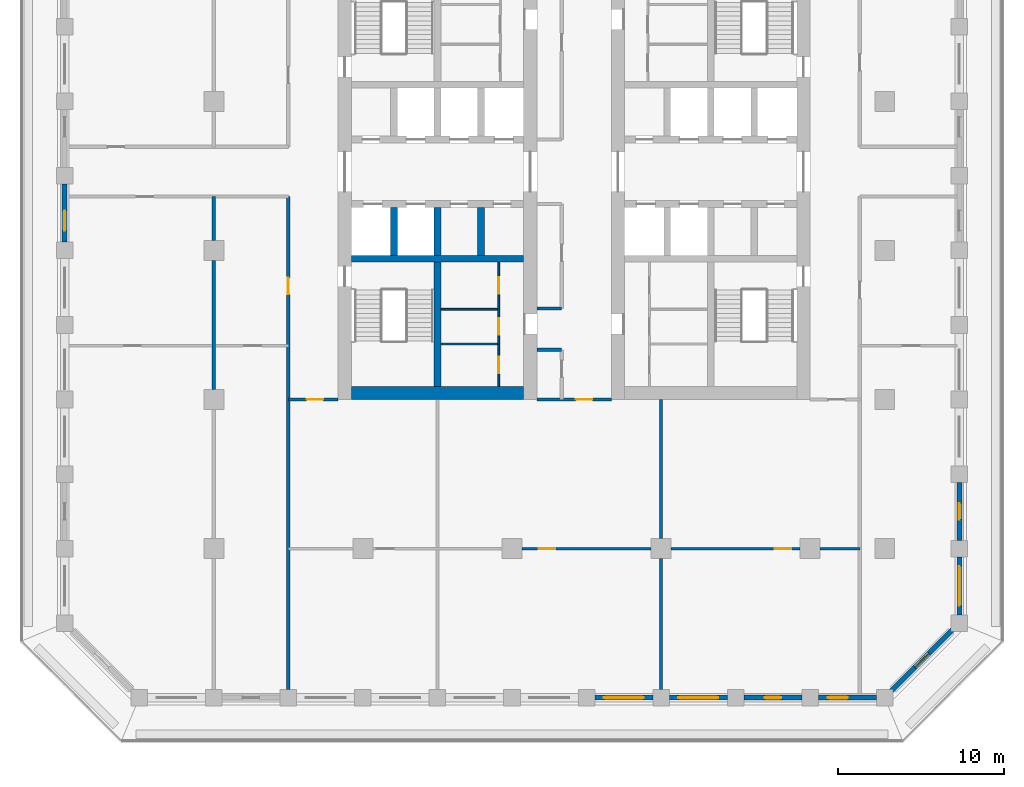
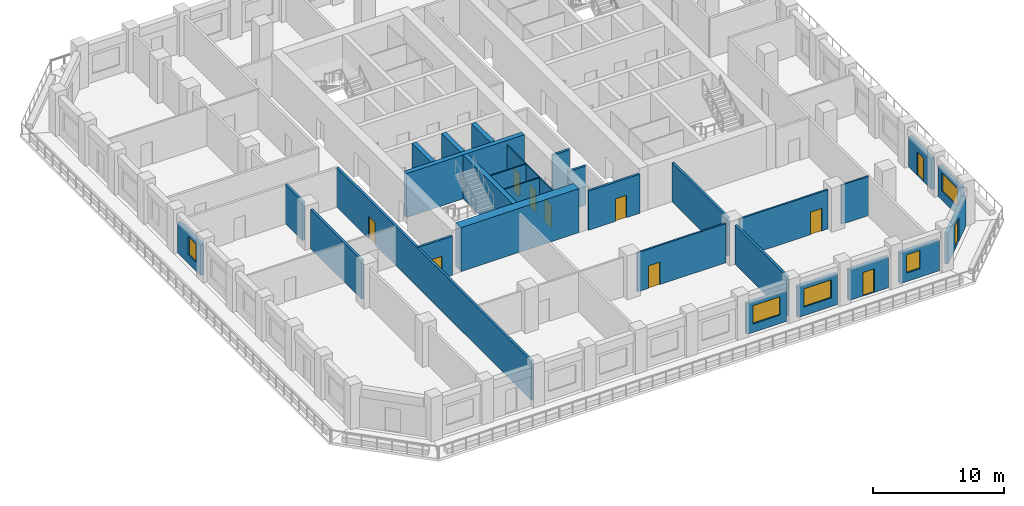
# One storey, part 3 of 16: 31 walls, 11 doors, 5 windows, 16 openings.
"""IFC4 building model written with IfcOpenShell, lengths in metres."""

from ifc_helpers import new_model, si_unit, direction, frame, frame_2d, origin, place, context, subcontext, project, spatial, rectangle, extrude, material, layer, layer_set, type_object, element, fill, save


model = new_model("IFC4")

# Units and contexts
model_context = context("Model", 3, precision=1e-05, world=origin(), true_north=direction((0.0, 1.0)))
body_context = subcontext(model_context, "Body", "Model", "MODEL_VIEW")
ifc_project = project(units=[si_unit("LENGTHUNIT", "METRE"), si_unit("AREAUNIT", "SQUARE_METRE"), si_unit("VOLUMEUNIT", "CUBIC_METRE"), si_unit("PLANEANGLEUNIT", "RADIAN"), si_unit("MASSUNIT", "GRAM", prefix="KILO")], contexts=[model_context])

# Site, building, storey
site_placement = place(None, origin())
site = spatial("IfcSite", under=ifc_project, at=site_placement, CompositionType="ELEMENT")
building_placement = place(site_placement, origin())
building = spatial("IfcBuilding", under=site, at=building_placement, Name="Corbel Stack Research Tower", CompositionType="ELEMENT")
storey_placement = place(building_placement, frame((0.0, 0.0, 169.10009765625)))
storey = spatial("IfcBuildingStorey", under=building, at=storey_placement, Name="L38", CompositionType="ELEMENT", Elevation=169.10009765625)

# Walls
ifc_material_1 = material(Name="Concrete C60/75", Category="concrete")
ifc_layer_1 = layer(ifc_material_1, 0.39990234375)
ifc_layer_set_1 = layer_set([ifc_layer_1], Name="Concrete C60/75")
wall_type_1 = type_object("IfcWallType", Name="CW-400-60", PredefinedType="SHEAR", material=ifc_layer_set_1)
wall_1_placement = place(storey_placement, frame((-9.699951171875, -0.5, 0.0), z_axis=(0.0, 0.0, 1.0), x_axis=(1.0, 0.0, 0.0)))
element("IfcWall", 1, at=wall_1_placement, inside=storey, type_object=wall_type_1, Name="West core wall, south row back L38", PredefinedType="SHEAR", context=body_context, shape_type="SweptSolid", body=[
    extrude(rectangle(XDim=10.39990234375, YDim=0.39990234375, at=frame_2d((5.199951171875, 0.0))), origin(), (0.0, 0.0, 1.0), 4.099853515625),
])
for number, where, z_axis, x_axis, name in (
    (2, (-7.125, -0.300048828125, 0.0), (0.0, 0.0, 1.0), (0.0, 1.0, 0.0), "West core wall, south shaft 1 L38"),
    (3, (-4.5, -0.300048828125, 0.0), (0.0, 0.0, 1.0), (0.0, 1.0, 0.0), "West core wall, south shaft 2 L38"),
    (4, (-1.875, -0.300048828125, 0.0), (0.0, 0.0, 1.0), (0.0, 1.0, 0.0), "West core wall, south shaft 3 L38"),
):
    element("IfcWall", number, at=place(storey_placement, frame(where, z_axis=z_axis, x_axis=x_axis)), inside=storey, type_object=wall_type_1, Name=name, PredefinedType="SHEAR", context=body_context, shape_type="SweptSolid", body=[
        extrude(rectangle(XDim=2.900146484375, YDim=0.39990234375, at=frame_2d((1.4501953125, 0.0))), origin(), (0.0, 0.0, 1.0), 4.099853515625),
    ])
wall_2_placement = place(storey_placement, frame((-4.5, -8.199951171875, 0.0), z_axis=(0.0, 0.0, 1.0), x_axis=(0.0, 1.0, 0.0)))
element("IfcWall", 5, at=wall_2_placement, inside=storey, type_object=wall_type_1, Name="West core wall, south stair and WC L38", PredefinedType="SHEAR", context=body_context, shape_type="SweptSolid", body=[
    extrude(rectangle(XDim=7.5, YDim=0.39990234375, at=frame_2d((3.75, 0.0))), origin(), (0.0, 0.0, 1.0), 4.099853515625),
])
ifc_material_2 = material(Name="Concrete C60/75", Category="concrete")
ifc_layer_2 = layer(ifc_material_2, 0.800048828125)
ifc_layer_set_2 = layer_set([ifc_layer_2], Name="Concrete C60/75")
wall_type_2 = type_object("IfcWallType", Name="CW-800-60", PredefinedType="SHEAR", material=ifc_layer_set_2)
wall_3_placement = place(storey_placement, frame((-9.699951171875, -8.60009765625, 0.0), z_axis=(0.0, 0.0, 1.0), x_axis=(1.0, 0.0, 0.0)))
element("IfcWall", 6, at=wall_3_placement, inside=storey, type_object=wall_type_2, Name="West core wall, south end L38", PredefinedType="SHEAR", context=body_context, shape_type="SweptSolid", body=[
    extrude(rectangle(XDim=10.39990234375, YDim=0.800048828125, at=frame_2d((5.199951171875, 0.0))), origin(), (0.0, 0.0, 1.0), 4.099853515625),
])

# Wall, opening, door
ifc_material_3 = material(Name="Gypsum board")
ifc_layer_3 = layer(ifc_material_3, 0.10009765625)
ifc_layer_set_3 = layer_set([ifc_layer_3], Name="Gypsum board")
wall_type_3 = type_object("IfcWallType", Name="Core partition 100", PredefinedType="PARTITIONING", material=ifc_layer_set_3)
wall_4_placement = place(storey_placement, frame((-0.800048828125, -8.199951171875, 0.0), z_axis=(0.0, 0.0, 1.0), x_axis=(0.0, 1.0, 0.0)))
wall_4 = element("IfcWall", 7, at=wall_4_placement, inside=storey, type_object=wall_type_3, Name="Core partition W", PredefinedType="PARTITIONING", context=body_context, shape_type="SweptSolid", body=[
    extrude(rectangle(XDim=2.550048828125, YDim=0.10009765625, at=frame_2d((1.27490234375, 0.0))), origin(), (0.0, 0.0, 1.0), 3.64990234375),
])
opening_1_placement = place(wall_4_placement, frame((0.77490234375, 0.0, 0.0)))
opening_1 = element("IfcOpeningElement", 8, at=opening_1_placement, cuts=wall_4, Name="Opening CR-W12-W2-1000", PredefinedType="OPENING", context=body_context, shape_type="SweptSolid", body=[
    extrude(rectangle(XDim=1.0, YDim=2.10009765625, at=frame_2d((0.5, 1.050048828125))), frame((0.0, 0.06005859375, 0.0), z_axis=(0.0, -1.0, 0.0), x_axis=(1.0, 0.0, 0.0)), (0.0, 0.0, 1.0), 0.1201171875),
])
ifc_material_4 = material(Name="Painted timber door", Category="wood")
door_type_1 = type_object("IfcDoorType", Name="WC door 1000 x 2100 right hand", OperationType="SINGLE_SWING_RIGHT", PredefinedType="DOOR", material=ifc_material_4)
door_1_placement = place(opening_1_placement, origin())
door_1 = element("IfcDoor", 9, at=door_1_placement, inside=storey, type_object=door_type_1, Name="Men's WC door W core", OperationType="SINGLE_SWING_RIGHT", OverallHeight=2.10009765625, OverallWidth=1.0, PredefinedType="DOOR", context=body_context, shape_type="SweptSolid", body=[
    extrude(rectangle(XDim=1.0, YDim=2.10009765625, at=frame_2d((0.5, 1.050048828125))), frame((0.0, 0.02490234375, 0.0), z_axis=(0.0, -1.0, 0.0), x_axis=(1.0, 0.0, 0.0)), (0.0, 0.0, 1.0), 0.050048828125),
])
fill(opening_1, door_1)

wall_5_placement = place(storey_placement, frame((-0.800048828125, -5.64990234375, 0.0), z_axis=(0.0, 0.0, 1.0), x_axis=(0.0, 1.0, 0.0)))
wall_5 = element("IfcWall", 10, at=wall_5_placement, inside=storey, type_object=wall_type_3, Name="Core partition W", PredefinedType="PARTITIONING", context=body_context, shape_type="SweptSolid", body=[
    extrude(rectangle(XDim=2.099853515625, YDim=0.10009765625, at=frame_2d((1.0498046875, 0.0))), origin(), (0.0, 0.0, 1.0), 3.64990234375),
])
opening_2_placement = place(wall_5_placement, frame((0.550048828125, 0.0, 0.0)))
opening_2 = element("IfcOpeningElement", 11, at=opening_2_placement, cuts=wall_5, Name="Opening CR-W12-W3-1000", PredefinedType="OPENING", context=body_context, shape_type="SweptSolid", body=[
    extrude(rectangle(XDim=1.0, YDim=2.10009765625, at=frame_2d((0.5, 1.050048828125))), frame((0.0, 0.06005859375, 0.0), z_axis=(0.0, -1.0, 0.0), x_axis=(1.0, 0.0, 0.0)), (0.0, 0.0, 1.0), 0.1201171875),
])
ifc_material_5 = material(Name="Painted timber door", Category="wood")
door_type_2 = type_object("IfcDoorType", Name="WC door 1000 x 2100 left hand", OperationType="SINGLE_SWING_LEFT", PredefinedType="DOOR", material=ifc_material_5)
door_2_placement = place(opening_2_placement, origin())
door_2 = element("IfcDoor", 12, at=door_2_placement, inside=storey, type_object=door_type_2, Name="Accessible WC door W core", OperationType="SINGLE_SWING_LEFT", OverallHeight=2.10009765625, OverallWidth=1.0, PredefinedType="DOOR", context=body_context, shape_type="SweptSolid", body=[
    extrude(rectangle(XDim=1.0, YDim=2.10009765625, at=frame_2d((0.5, 1.050048828125))), frame((0.0, 0.02490234375, 0.0), z_axis=(0.0, -1.0, 0.0), x_axis=(1.0, 0.0, 0.0)), (0.0, 0.0, 1.0), 0.050048828125),
])
fill(opening_2, door_2)

wall_6_placement = place(storey_placement, frame((-0.800048828125, -3.550048828125, 0.0), z_axis=(0.0, 0.0, 1.0), x_axis=(0.0, 1.0, 0.0)))
wall_6 = element("IfcWall", 13, at=wall_6_placement, inside=storey, type_object=wall_type_3, Name="Core partition W", PredefinedType="PARTITIONING", context=body_context, shape_type="SweptSolid", body=[
    extrude(rectangle(XDim=2.85009765625, YDim=0.10009765625, at=frame_2d((1.425048828125, 0.0))), origin(), (0.0, 0.0, 1.0), 3.64990234375),
])
opening_3_placement = place(wall_6_placement, frame((0.925048828125, 0.0, 0.0)))
opening_3 = element("IfcOpeningElement", 14, at=opening_3_placement, cuts=wall_6, Name="Opening CR-W12-W4-1000", PredefinedType="OPENING", context=body_context, shape_type="SweptSolid", body=[
    extrude(rectangle(XDim=1.0, YDim=2.10009765625, at=frame_2d((0.5, 1.050048828125))), frame((0.0, 0.06005859375, 0.0), z_axis=(0.0, -1.0, 0.0), x_axis=(1.0, 0.0, 0.0)), (0.0, 0.0, 1.0), 0.1201171875),
])
door_3_placement = place(opening_3_placement, origin())
door_3 = element("IfcDoor", 15, at=door_3_placement, inside=storey, type_object=door_type_1, Name="Women's WC door W core", OperationType="SINGLE_SWING_RIGHT", OverallHeight=2.10009765625, OverallWidth=1.0, PredefinedType="DOOR", context=body_context, shape_type="SweptSolid", body=[
    extrude(rectangle(XDim=1.0, YDim=2.10009765625, at=frame_2d((0.5, 1.050048828125))), frame((0.0, 0.02490234375, 0.0), z_axis=(0.0, -1.0, 0.0), x_axis=(1.0, 0.0, 0.0)), (0.0, 0.0, 1.0), 0.050048828125),
])
fill(opening_3, door_3)

# Walls
for number, where, z_axis, x_axis, name in (
    (16, (-4.300048828125, -5.64990234375, 0.0), (0.0, 0.0, 1.0), (1.0, 0.0, 0.0), "Core partition W"),
    (17, (-4.300048828125, -3.550048828125, 0.0), (0.0, 0.0, 1.0), (1.0, 0.0, 0.0), "Core partition W"),
):
    element("IfcWall", number, at=place(storey_placement, frame(where, z_axis=z_axis, x_axis=x_axis)), inside=storey, type_object=wall_type_3, Name=name, PredefinedType="PARTITIONING", context=body_context, shape_type="SweptSolid", body=[
        extrude(rectangle(XDim=3.5, YDim=0.10009765625, at=frame_2d((1.75, 0.0))), origin(), (0.0, 0.0, 1.0), 3.64990234375),
    ])
ifc_material_6 = material(Name="Fire-rated gypsum board partition on steel studs", Category="steel")
ifc_layer_4 = layer(ifc_material_6, 0.199951171875)
ifc_layer_set_4 = layer_set([ifc_layer_4], Name="Fire-rated gypsum board partition on steel studs")
wall_type_4 = type_object("IfcWallType", Name="Fire-rated partition 200 EI 60", PredefinedType="PARTITIONING", material=ifc_layer_set_4)
wall_7_placement = place(storey_placement, frame((-18.0, -8.39990234375, 0.0), z_axis=(0.0, 0.0, 1.0), x_axis=(0.0, 1.0, 0.0)))
element("IfcWall", 18, at=wall_7_placement, inside=storey, type_object=wall_type_4, Name="Partition L38-003", PredefinedType="PARTITIONING", context=body_context, shape_type="SweptSolid", body=[
    extrude(rectangle(XDim=7.7998046875, YDim=0.199951171875, at=frame_2d((3.89990234375, 0.0))), origin(), (0.0, 0.0, 1.0), 3.64990234375),
])
wall_8_placement = place(storey_placement, frame((-18.0, 0.60009765625, 0.0), z_axis=(0.0, 0.0, 1.0), x_axis=(0.0, 1.0, 0.0)))
element("IfcWall", 19, at=wall_8_placement, inside=storey, type_object=wall_type_4, Name="Partition L38-004", PredefinedType="PARTITIONING", context=body_context, shape_type="SweptSolid", body=[
    extrude(rectangle(XDim=2.64990234375, YDim=0.199951171875, at=frame_2d((1.324951171875, 0.0))), origin(), (0.0, 0.0, 1.0), 3.64990234375),
])

# Wall, opening, door
wall_9_placement = place(storey_placement, frame((-13.5, -26.5, 0.0), z_axis=(0.0, 0.0, 1.0), x_axis=(0.0, 1.0, 0.0)))
wall_9 = element("IfcWall", 20, at=wall_9_placement, inside=storey, type_object=wall_type_4, Name="Partition L38-009", PredefinedType="PARTITIONING", context=body_context, shape_type="SweptSolid", body=[
    extrude(rectangle(XDim=29.75, YDim=0.199951171875, at=frame_2d((14.875, 0.0))), origin(), (0.0, 0.0, 1.0), 3.64990234375),
])
opening_4_placement = place(wall_9_placement, frame((23.85009765625, 0.0, 0.0)))
opening_4 = element("IfcOpeningElement", 21, at=opening_4_placement, cuts=wall_9, Name="Opening B5V1-004", PredefinedType="OPENING", context=body_context, shape_type="SweptSolid", body=[
    extrude(rectangle(XDim=1.0, YDim=2.10009765625, at=frame_2d((0.5, 1.050048828125))), frame((0.0, 0.10986328125, 0.0), z_axis=(0.0, -1.0, 0.0), x_axis=(1.0, 0.0, 0.0)), (0.0, 0.0, 1.0), 0.219970703125),
])
ifc_material_7 = material(Name="Painted steel fire door", Category="steel")
door_type_3 = type_object("IfcDoorType", Name="Fire door FD30S 1000 x 2100", OperationType="NOTDEFINED", PredefinedType="DOOR", material=ifc_material_7)
door_4_placement = place(opening_4_placement, origin())
door_4 = element("IfcDoor", 22, at=door_4_placement, inside=storey, type_object=door_type_3, Name="Door B5V1-004", OperationType="SINGLE_SWING_RIGHT", OverallHeight=2.10009765625, OverallWidth=1.0, PredefinedType="DOOR", context=body_context, shape_type="SweptSolid", body=[
    extrude(rectangle(XDim=1.0, YDim=2.10009765625, at=frame_2d((0.5, 1.050048828125))), frame((0.0, 0.02490234375, 0.0), z_axis=(0.0, -1.0, 0.0), x_axis=(1.0, 0.0, 0.0)), (0.0, 0.0, 1.0), 0.050048828125),
])
fill(opening_4, door_4)

# Walls
wall_10_placement = place(storey_placement, frame((9.0, -26.5, 0.0), z_axis=(0.0, 0.0, 1.0), x_axis=(0.0, 1.0, 0.0)))
element("IfcWall", 23, at=wall_10_placement, inside=storey, type_object=wall_type_4, Name="Partition L38-016", PredefinedType="PARTITIONING", context=body_context, shape_type="SweptSolid", body=[
    extrude(rectangle(XDim=7.89990234375, YDim=0.199951171875, at=frame_2d((3.949951171875, 0.0))), origin(), (0.0, 0.0, 1.0), 3.64990234375),
])
wall_11_placement = place(storey_placement, frame((9.0, -17.39990234375, 0.0), z_axis=(0.0, 0.0, 1.0), x_axis=(0.0, 1.0, 0.0)))
element("IfcWall", 24, at=wall_11_placement, inside=storey, type_object=wall_type_4, Name="Partition L38-017", PredefinedType="PARTITIONING", context=body_context, shape_type="SweptSolid", body=[
    extrude(rectangle(XDim=8.39990234375, YDim=0.199951171875, at=frame_2d((4.199951171875, 0.0))), origin(), (0.0, 0.0, 1.0), 3.64990234375),
])

# Wall, opening, door
wall_12_placement = place(storey_placement, frame((-10.5, -9.0, 0.0), z_axis=(0.0, 0.0, 1.0), x_axis=(-1.0, 0.0, 0.0)))
wall_12 = element("IfcWall", 25, at=wall_12_placement, inside=storey, type_object=wall_type_4, Name="Partition L38-027", PredefinedType="PARTITIONING", context=body_context, shape_type="SweptSolid", body=[
    extrude(rectangle(XDim=3.0, YDim=0.199951171875, at=frame_2d((1.5, 0.0))), origin(), (0.0, 0.0, 1.0), 3.64990234375),
])
opening_5_placement = place(wall_12_placement, frame((0.89990234375, 0.0, 0.0)))
opening_5 = element("IfcOpeningElement", 26, at=opening_5_placement, cuts=wall_12, Name="Opening B5V1-006", PredefinedType="OPENING", context=body_context, shape_type="SweptSolid", body=[
    extrude(rectangle(XDim=1.0, YDim=2.10009765625, at=frame_2d((0.5, 1.050048828125))), frame((0.0, 0.10986328125, 0.0), z_axis=(0.0, -1.0, 0.0), x_axis=(1.0, 0.0, 0.0)), (0.0, 0.0, 1.0), 0.219970703125),
])
door_5_placement = place(opening_5_placement, origin())
door_5 = element("IfcDoor", 27, at=door_5_placement, inside=storey, type_object=door_type_3, Name="Door B5V1-006", OperationType="SINGLE_SWING_LEFT", OverallHeight=2.10009765625, OverallWidth=1.0, PredefinedType="DOOR", context=body_context, shape_type="SweptSolid", body=[
    extrude(rectangle(XDim=1.0, YDim=2.10009765625, at=frame_2d((0.5, 1.050048828125))), frame((0.0, 0.02490234375, 0.0), z_axis=(0.0, -1.0, 0.0), x_axis=(1.0, 0.0, 0.0)), (0.0, 0.0, 1.0), 0.050048828125),
])
fill(opening_5, door_5)

wall_13_placement = place(storey_placement, frame((6.0, -9.0, 0.0), z_axis=(0.0, 0.0, 1.0), x_axis=(-1.0, 0.0, 0.0)))
wall_13 = element("IfcWall", 28, at=wall_13_placement, inside=storey, type_object=wall_type_4, Name="Partition L38-028", PredefinedType="PARTITIONING", context=body_context, shape_type="SweptSolid", body=[
    extrude(rectangle(XDim=4.5, YDim=0.199951171875, at=frame_2d((2.25, 0.0))), origin(), (0.0, 0.0, 1.0), 3.64990234375),
])
opening_6_placement = place(wall_13_placement, frame((1.14990234375, 0.0, 0.0)))
opening_6 = element("IfcOpeningElement", 29, at=opening_6_placement, cuts=wall_13, Name="Opening B5V1-007", PredefinedType="OPENING", context=body_context, shape_type="SweptSolid", body=[
    extrude(rectangle(XDim=1.0, YDim=2.10009765625, at=frame_2d((0.5, 1.050048828125))), frame((0.0, 0.10986328125, 0.0), z_axis=(0.0, -1.0, 0.0), x_axis=(1.0, 0.0, 0.0)), (0.0, 0.0, 1.0), 0.219970703125),
])
door_6_placement = place(opening_6_placement, origin())
door_6 = element("IfcDoor", 30, at=door_6_placement, inside=storey, type_object=door_type_3, Name="Door B5V1-007", OperationType="SINGLE_SWING_LEFT", OverallHeight=2.10009765625, OverallWidth=1.0, PredefinedType="DOOR", context=body_context, shape_type="SweptSolid", body=[
    extrude(rectangle(XDim=1.0, YDim=2.10009765625, at=frame_2d((0.5, 1.050048828125))), frame((0.0, 0.02490234375, 0.0), z_axis=(0.0, -1.0, 0.0), x_axis=(1.0, 0.0, 0.0)), (0.0, 0.0, 1.0), 0.050048828125),
])
fill(opening_6, door_6)

# Walls
for number, where, z_axis, x_axis, name in (
    (31, (1.5, -6.0, 0.0), (0.0, 0.0, 1.0), (1.0, 0.0, 0.0), "Partition L38-030"),
    (32, (1.5, -3.5, 0.0), (0.0, 0.0, 1.0), (1.0, 0.0, 0.0), "Partition L38-033"),
):
    element("IfcWall", number, at=place(storey_placement, frame(where, z_axis=z_axis, x_axis=x_axis)), inside=storey, type_object=wall_type_4, Name=name, PredefinedType="PARTITIONING", context=body_context, shape_type="SweptSolid", body=[
        extrude(rectangle(XDim=1.5, YDim=0.199951171875, at=frame_2d((0.75, 0.0))), origin(), (0.0, 0.0, 1.0), 3.64990234375),
    ])

# Wall, opening, door
ifc_material_8 = material(Name="Gypsum board partition on steel studs", Category="steel")
ifc_layer_5 = layer(ifc_material_8, 0.14990234375)
ifc_layer_set_5 = layer_set([ifc_layer_5], Name="Gypsum board partition on steel studs")
wall_type_5 = type_object("IfcWallType", Name="Partition 150", PredefinedType="PARTITIONING", material=ifc_layer_set_5)
wall_14_placement = place(storey_placement, frame((8.39990234375, -18.0, 0.0), z_axis=(0.0, 0.0, 1.0), x_axis=(-1.0, 0.0, 0.0)))
wall_14 = element("IfcWall", 33, at=wall_14_placement, inside=storey, type_object=wall_type_5, Name="Partition L38-024", PredefinedType="PARTITIONING", context=body_context, shape_type="SweptSolid", body=[
    extrude(rectangle(XDim=7.7998046875, YDim=0.14990234375, at=frame_2d((3.89990234375, 0.0))), origin(), (0.0, 0.0, 1.0), 3.64990234375),
])
opening_7_placement = place(wall_14_placement, frame((5.800048828125, 0.0, 0.0)))
opening_7 = element("IfcOpeningElement", 34, at=opening_7_placement, cuts=wall_14, Name="Opening B5V1-002", PredefinedType="OPENING", context=body_context, shape_type="SweptSolid", body=[
    extrude(rectangle(XDim=1.0, YDim=2.10009765625, at=frame_2d((0.5, 1.050048828125))), frame((0.0, 0.0849609375, 0.0), z_axis=(0.0, -1.0, 0.0), x_axis=(1.0, 0.0, 0.0)), (0.0, 0.0, 1.0), 0.169921875),
])
ifc_material_9 = material(Name="Painted timber door", Category="wood")
door_type_4 = type_object("IfcDoorType", Name="Single door 1000 x 2100", OperationType="NOTDEFINED", PredefinedType="DOOR", material=ifc_material_9)
door_7_placement = place(opening_7_placement, origin())
door_7 = element("IfcDoor", 35, at=door_7_placement, inside=storey, type_object=door_type_4, Name="Door B5V1-002", OperationType="SINGLE_SWING_RIGHT", OverallHeight=2.10009765625, OverallWidth=1.0, PredefinedType="DOOR", context=body_context, shape_type="SweptSolid", body=[
    extrude(rectangle(XDim=1.0, YDim=2.10009765625, at=frame_2d((0.5, 1.050048828125))), frame((0.0, 0.02490234375, 0.0), z_axis=(0.0, -1.0, 0.0), x_axis=(1.0, 0.0, 0.0)), (0.0, 0.0, 1.0), 0.050048828125),
])
fill(opening_7, door_7)

wall_15_placement = place(storey_placement, frame((17.39990234375, -18.0, 0.0), z_axis=(0.0, 0.0, 1.0), x_axis=(-1.0, 0.0, 0.0)))
wall_15 = element("IfcWall", 36, at=wall_15_placement, inside=storey, type_object=wall_type_5, Name="Partition L38-025", PredefinedType="PARTITIONING", context=body_context, shape_type="SweptSolid", body=[
    extrude(rectangle(XDim=7.7998046875, YDim=0.14990234375, at=frame_2d((3.89990234375, 0.0))), origin(), (0.0, 0.0, 1.0), 3.64990234375),
])
opening_8_placement = place(wall_15_placement, frame((0.550048828125, 0.0, 0.0)))
opening_8 = element("IfcOpeningElement", 37, at=opening_8_placement, cuts=wall_15, Name="Opening B5V1-003", PredefinedType="OPENING", context=body_context, shape_type="SweptSolid", body=[
    extrude(rectangle(XDim=1.0, YDim=2.10009765625, at=frame_2d((0.5, 1.050048828125))), frame((0.0, 0.0849609375, 0.0), z_axis=(0.0, -1.0, 0.0), x_axis=(1.0, 0.0, 0.0)), (0.0, 0.0, 1.0), 0.169921875),
])
door_8_placement = place(opening_8_placement, origin())
door_8 = element("IfcDoor", 38, at=door_8_placement, inside=storey, type_object=door_type_4, Name="Door B5V1-003", OperationType="SINGLE_SWING_LEFT", OverallHeight=2.10009765625, OverallWidth=1.0, PredefinedType="DOOR", context=body_context, shape_type="SweptSolid", body=[
    extrude(rectangle(XDim=1.0, YDim=2.10009765625, at=frame_2d((0.5, 1.050048828125))), frame((0.0, 0.02490234375, 0.0), z_axis=(0.0, -1.0, 0.0), x_axis=(1.0, 0.0, 0.0)), (0.0, 0.0, 1.0), 0.050048828125),
])
fill(opening_8, door_8)

# Wall
wall_16_placement = place(storey_placement, frame((18.60009765625, -18.0, 0.0), z_axis=(0.0, 0.0, 1.0), x_axis=(1.0, 0.0, 0.0)))
element("IfcWall", 39, at=wall_16_placement, inside=storey, type_object=wall_type_5, Name="Partition L38-026", PredefinedType="PARTITIONING", context=body_context, shape_type="SweptSolid", body=[
    extrude(rectangle(XDim=2.39990234375, YDim=0.14990234375, at=frame_2d((1.199951171875, 0.0))), origin(), (0.0, 0.0, 1.0), 3.64990234375),
])

# Wall, opening, window
ifc_material_10 = material(Name="Concrete C45/55", Category="concrete")
ifc_layer_6 = layer(ifc_material_10, 0.300048828125)
ifc_layer_set_6 = layer_set([ifc_layer_6], Name="Concrete C45/55")
wall_type_6 = type_object("IfcWallType", Name="Terracotta-faced concrete wall 300", PredefinedType="SOLIDWALL", material=ifc_layer_set_6)
wall_17_placement = place(storey_placement, frame((8.5, -27.0, 0.0), z_axis=(0.0, 0.0, 1.0), x_axis=(-1.0, 0.0, 0.0)))
wall_17 = element("IfcWall", 40, at=wall_17_placement, inside=storey, type_object=wall_type_6, Name="Facade wall L38 S07", PredefinedType="SOLIDWALL", context=body_context, shape_type="SweptSolid", body=[
    extrude(rectangle(XDim=3.5, YDim=0.300048828125, at=frame_2d((1.75, 0.0))), origin(), (0.0, 0.0, 1.0), 2.849853515625),
])
opening_9_placement = place(wall_17_placement, frame((0.550048828125, 0.0, 0.800048828125)))
opening_9 = element("IfcOpeningElement", 41, at=opening_9_placement, cuts=wall_17, Name="Opening W1", PredefinedType="OPENING", context=body_context, shape_type="SweptSolid", body=[
    extrude(rectangle(XDim=2.39990234375, YDim=1.699951171875, at=frame_2d((1.199951171875, 0.85009765625))), frame((0.0, 0.159912109375, 0.0), z_axis=(0.0, -1.0, 0.0), x_axis=(1.0, 0.0, 0.0)), (0.0, 0.0, 1.0), 0.320068359375),
])
ifc_material_11 = material(Name="Aluminium frame, clear double glazing", Category="aluminium")
window_type_1 = type_object("IfcWindowType", Name="Window W1 2400 x 1700", PartitioningType="SINGLE_PANEL", PredefinedType="WINDOW", material=ifc_material_11)
window_1_placement = place(opening_9_placement, origin())
window_1 = element("IfcWindow", 42, at=window_1_placement, inside=storey, type_object=window_type_1, Name="Window W1 L38 S07", OverallHeight=1.699951171875, OverallWidth=2.39990234375, PartitioningType="SINGLE_PANEL", PredefinedType="WINDOW", context=body_context, shape_type="SweptSolid", body=[
    extrude(rectangle(XDim=2.39990234375, YDim=1.699951171875, at=frame_2d((1.199951171875, 0.85009765625))), frame((0.0, 0.030029296875, 0.0), z_axis=(0.0, -1.0, 0.0), x_axis=(1.0, 0.0, 0.0)), (0.0, 0.0, 1.0), 0.06005859375),
])
fill(opening_9, window_1)

wall_18_placement = place(storey_placement, frame((13.0, -27.0, 0.0), z_axis=(0.0, 0.0, 1.0), x_axis=(-1.0, 0.0, 0.0)))
wall_18 = element("IfcWall", 43, at=wall_18_placement, inside=storey, type_object=wall_type_6, Name="Facade wall L38 S08", PredefinedType="SOLIDWALL", context=body_context, shape_type="SweptSolid", body=[
    extrude(rectangle(XDim=3.5, YDim=0.300048828125, at=frame_2d((1.75, 0.0))), origin(), (0.0, 0.0, 1.0), 2.849853515625),
])
opening_10_placement = place(wall_18_placement, frame((0.550048828125, 0.0, 0.800048828125)))
opening_10 = element("IfcOpeningElement", 44, at=opening_10_placement, cuts=wall_18, Name="Opening W1", PredefinedType="OPENING", context=body_context, shape_type="SweptSolid", body=[
    extrude(rectangle(XDim=2.39990234375, YDim=1.699951171875, at=frame_2d((1.199951171875, 0.85009765625))), frame((0.0, 0.159912109375, 0.0), z_axis=(0.0, -1.0, 0.0), x_axis=(1.0, 0.0, 0.0)), (0.0, 0.0, 1.0), 0.320068359375),
])
window_2_placement = place(opening_10_placement, origin())
window_2 = element("IfcWindow", 45, at=window_2_placement, inside=storey, type_object=window_type_1, Name="Window W1 L38 S08", OverallHeight=1.699951171875, OverallWidth=2.39990234375, PartitioningType="SINGLE_PANEL", PredefinedType="WINDOW", context=body_context, shape_type="SweptSolid", body=[
    extrude(rectangle(XDim=2.39990234375, YDim=1.699951171875, at=frame_2d((1.199951171875, 0.85009765625))), frame((0.0, 0.030029296875, 0.0), z_axis=(0.0, -1.0, 0.0), x_axis=(1.0, 0.0, 0.0)), (0.0, 0.0, 1.0), 0.06005859375),
])
fill(opening_10, window_2)

# Wall, opening, door
wall_19_placement = place(storey_placement, frame((17.5, -27.0, 0.0), z_axis=(0.0, 0.0, 1.0), x_axis=(-1.0, 0.0, 0.0)))
wall_19 = element("IfcWall", 46, at=wall_19_placement, inside=storey, type_object=wall_type_6, Name="Facade wall L38 S09", PredefinedType="SOLIDWALL", context=body_context, shape_type="SweptSolid", body=[
    extrude(rectangle(XDim=3.5, YDim=0.300048828125, at=frame_2d((1.75, 0.0))), origin(), (0.0, 0.0, 1.0), 2.849853515625),
])
opening_11_placement = place(wall_19_placement, frame((1.25, 0.0, 0.0)))
opening_11 = element("IfcOpeningElement", 47, at=opening_11_placement, cuts=wall_19, Name="Opening L38-B02", PredefinedType="OPENING", context=body_context, shape_type="SweptSolid", body=[
    extrude(rectangle(XDim=1.0, YDim=2.199951171875, at=frame_2d((0.5, 1.10009765625))), frame((0.0, 0.159912109375, 0.0), z_axis=(0.0, -1.0, 0.0), x_axis=(1.0, 0.0, 0.0)), (0.0, 0.0, 1.0), 0.320068359375),
])
ifc_material_12 = material(Name="Aluminium frame, clear double glazing", Category="aluminium")
door_type_5 = type_object("IfcDoorType", Name="Balcony door BD1 1000 x 2200", OperationType="NOTDEFINED", PredefinedType="DOOR", material=ifc_material_12)
door_9_placement = place(opening_11_placement, origin())
door_9 = element("IfcDoor", 48, at=door_9_placement, inside=storey, type_object=door_type_5, Name="Balcony door L38-B02", OperationType="SINGLE_SWING_LEFT", OverallHeight=2.199951171875, OverallWidth=1.0, PredefinedType="DOOR", context=body_context, shape_type="SweptSolid", body=[
    extrude(rectangle(XDim=1.0, YDim=2.199951171875, at=frame_2d((0.5, 1.10009765625))), frame((0.0, 0.02490234375, 0.0), z_axis=(0.0, -1.0, 0.0), x_axis=(1.0, 0.0, 0.0)), (0.0, 0.0, 1.0), 0.050048828125),
])
fill(opening_11, door_9)

# Wall, opening, window
wall_20_placement = place(storey_placement, frame((22.0, -27.0, 0.0), z_axis=(0.0, 0.0, 1.0), x_axis=(-1.0, 0.0, 0.0)))
wall_20 = element("IfcWall", 49, at=wall_20_placement, inside=storey, type_object=wall_type_6, Name="Facade wall L38 S10", PredefinedType="SOLIDWALL", context=body_context, shape_type="SweptSolid", body=[
    extrude(rectangle(XDim=3.5, YDim=0.300048828125, at=frame_2d((1.75, 0.0))), origin(), (0.0, 0.0, 1.0), 2.849853515625),
])
opening_12_placement = place(wall_20_placement, frame((1.72509765625, 0.0, 0.800048828125)))
opening_12 = element("IfcOpeningElement", 50, at=opening_12_placement, cuts=wall_20, Name="Opening W2", PredefinedType="OPENING", context=body_context, shape_type="SweptSolid", body=[
    extrude(rectangle(XDim=1.199951171875, YDim=1.699951171875, at=frame_2d((0.60009765625, 0.85009765625))), frame((0.0, 0.159912109375, 0.0), z_axis=(0.0, -1.0, 0.0), x_axis=(1.0, 0.0, 0.0)), (0.0, 0.0, 1.0), 0.320068359375),
])
ifc_material_13 = material(Name="Aluminium frame, clear double glazing", Category="aluminium")
window_type_2 = type_object("IfcWindowType", Name="Window W2 1200 x 1700", PartitioningType="SINGLE_PANEL", PredefinedType="WINDOW", material=ifc_material_13)
window_3_placement = place(opening_12_placement, origin())
window_3 = element("IfcWindow", 51, at=window_3_placement, inside=storey, type_object=window_type_2, Name="Window W2 L38 S10", OverallHeight=1.699951171875, OverallWidth=1.199951171875, PartitioningType="SINGLE_PANEL", PredefinedType="WINDOW", context=body_context, shape_type="SweptSolid", body=[
    extrude(rectangle(XDim=1.199951171875, YDim=1.699951171875, at=frame_2d((0.60009765625, 0.85009765625))), frame((0.0, 0.030029296875, 0.0), z_axis=(0.0, -1.0, 0.0), x_axis=(1.0, 0.0, 0.0)), (0.0, 0.0, 1.0), 0.06005859375),
])
fill(opening_12, window_3)

# Wall, opening, door
wall_21_placement = place(storey_placement, frame((26.606201171875, -22.893798828125, 0.0), z_axis=(0.0, 0.0, 1.0), x_axis=(-0.707106781187, -0.707106781187, 0.0)))
wall_21 = element("IfcWall", 52, at=wall_21_placement, inside=storey, type_object=wall_type_6, Name="Facade wall L38 SE01", PredefinedType="SOLIDWALL", context=body_context, shape_type="SweptSolid", body=[
    extrude(rectangle(XDim=5.250244140625, YDim=0.300048828125, at=frame_2d((2.625, 0.0))), origin(), (0.0, 0.0, 1.0), 2.849853515625),
])
opening_13_placement = place(wall_21_placement, frame((2.02490234375, 0.0, 0.0)))
opening_13 = element("IfcOpeningElement", 53, at=opening_13_placement, cuts=wall_21, Name="Opening L38-B03", PredefinedType="OPENING", context=body_context, shape_type="SweptSolid", body=[
    extrude(rectangle(XDim=1.199951171875, YDim=2.199951171875, at=frame_2d((0.60009765625, 1.10009765625))), frame((0.0, 0.159912109375, 0.0), z_axis=(0.0, -1.0, 0.0), x_axis=(1.0, 0.0, 0.0)), (0.0, 0.0, 1.0), 0.320068359375),
])
ifc_material_14 = material(Name="Aluminium frame, clear double glazing", Category="aluminium")
door_type_6 = type_object("IfcDoorType", Name="Balcony door BD2 1200 x 2200", OperationType="NOTDEFINED", PredefinedType="DOOR", material=ifc_material_14)
door_10_placement = place(opening_13_placement, origin())
door_10 = element("IfcDoor", 54, at=door_10_placement, inside=storey, type_object=door_type_6, Name="Balcony door L38-B03", OperationType="SINGLE_SWING_LEFT", OverallHeight=2.199951171875, OverallWidth=1.199951171875, PredefinedType="DOOR", context=body_context, shape_type="SweptSolid", body=[
    extrude(rectangle(XDim=1.199951171875, YDim=2.199951171875, at=frame_2d((0.60009765625, 1.10009765625))), frame((0.0, 0.02490234375, 0.0), z_axis=(0.0, -1.0, 0.0), x_axis=(1.0, 0.0, 0.0)), (0.0, 0.0, 1.0), 0.050048828125),
])
fill(opening_13, door_10)

# Wall, opening, window
wall_22_placement = place(storey_placement, frame((27.0, -18.5, 0.0), z_axis=(0.0, 0.0, 1.0), x_axis=(0.0, -1.0, 0.0)))
wall_22 = element("IfcWall", 55, at=wall_22_placement, inside=storey, type_object=wall_type_6, Name="Facade wall L38 E01", PredefinedType="SOLIDWALL", context=body_context, shape_type="SweptSolid", body=[
    extrude(rectangle(XDim=3.5, YDim=0.300048828125, at=frame_2d((1.75, 0.0))), origin(), (0.0, 0.0, 1.0), 2.849853515625),
])
opening_14_placement = place(wall_22_placement, frame((0.550048828125, 0.0, 0.800048828125)))
opening_14 = element("IfcOpeningElement", 56, at=opening_14_placement, cuts=wall_22, Name="Opening W1", PredefinedType="OPENING", context=body_context, shape_type="SweptSolid", body=[
    extrude(rectangle(XDim=2.39990234375, YDim=1.699951171875, at=frame_2d((1.199951171875, 0.85009765625))), frame((0.0, 0.159912109375, 0.0), z_axis=(0.0, -1.0, 0.0), x_axis=(1.0, 0.0, 0.0)), (0.0, 0.0, 1.0), 0.320068359375),
])
window_4_placement = place(opening_14_placement, origin())
window_4 = element("IfcWindow", 57, at=window_4_placement, inside=storey, type_object=window_type_1, Name="Window W1 L38 E01", OverallHeight=1.699951171875, OverallWidth=2.39990234375, PartitioningType="SINGLE_PANEL", PredefinedType="WINDOW", context=body_context, shape_type="SweptSolid", body=[
    extrude(rectangle(XDim=2.39990234375, YDim=1.699951171875, at=frame_2d((1.199951171875, 0.85009765625))), frame((0.0, 0.030029296875, 0.0), z_axis=(0.0, -1.0, 0.0), x_axis=(1.0, 0.0, 0.0)), (0.0, 0.0, 1.0), 0.06005859375),
])
fill(opening_14, window_4)

# Wall, opening, door
wall_23_placement = place(storey_placement, frame((27.0, -14.0, 0.0), z_axis=(0.0, 0.0, 1.0), x_axis=(0.0, -1.0, 0.0)))
wall_23 = element("IfcWall", 58, at=wall_23_placement, inside=storey, type_object=wall_type_6, Name="Facade wall L38 E02", PredefinedType="SOLIDWALL", context=body_context, shape_type="SweptSolid", body=[
    extrude(rectangle(XDim=3.5, YDim=0.300048828125, at=frame_2d((1.75, 0.0))), origin(), (0.0, 0.0, 1.0), 2.849853515625),
])
opening_15_placement = place(wall_23_placement, frame((1.25, 0.0, 0.0)))
opening_15 = element("IfcOpeningElement", 59, at=opening_15_placement, cuts=wall_23, Name="Opening L38-B04", PredefinedType="OPENING", context=body_context, shape_type="SweptSolid", body=[
    extrude(rectangle(XDim=1.0, YDim=2.199951171875, at=frame_2d((0.5, 1.10009765625))), frame((0.0, 0.159912109375, 0.0), z_axis=(0.0, -1.0, 0.0), x_axis=(1.0, 0.0, 0.0)), (0.0, 0.0, 1.0), 0.320068359375),
])
door_11_placement = place(opening_15_placement, origin())
door_11 = element("IfcDoor", 60, at=door_11_placement, inside=storey, type_object=door_type_5, Name="Balcony door L38-B04", OperationType="SINGLE_SWING_RIGHT", OverallHeight=2.199951171875, OverallWidth=1.0, PredefinedType="DOOR", context=body_context, shape_type="SweptSolid", body=[
    extrude(rectangle(XDim=1.0, YDim=2.199951171875, at=frame_2d((0.5, 1.10009765625))), frame((0.0, 0.02490234375, 0.0), z_axis=(0.0, -1.0, 0.0), x_axis=(1.0, 0.0, 0.0)), (0.0, 0.0, 1.0), 0.050048828125),
])
fill(opening_15, door_11)

# Wall, opening, window
wall_24_placement = place(storey_placement, frame((-27.0, 0.5, 0.0), z_axis=(0.0, 0.0, 1.0), x_axis=(0.0, 1.0, 0.0)))
wall_24 = element("IfcWall", 61, at=wall_24_placement, inside=storey, type_object=wall_type_6, Name="Facade wall L38 W05", PredefinedType="SOLIDWALL", context=body_context, shape_type="SweptSolid", body=[
    extrude(rectangle(XDim=3.5, YDim=0.300048828125, at=frame_2d((1.75, 0.0))), origin(), (0.0, 0.0, 1.0), 2.849853515625),
])
opening_16_placement = place(wall_24_placement, frame((0.699951171875, 0.0, 0.800048828125)))
opening_16 = element("IfcOpeningElement", 62, at=opening_16_placement, cuts=wall_24, Name="Opening W2", PredefinedType="OPENING", context=body_context, shape_type="SweptSolid", body=[
    extrude(rectangle(XDim=1.199951171875, YDim=1.699951171875, at=frame_2d((0.60009765625, 0.85009765625))), frame((0.0, 0.159912109375, 0.0), z_axis=(0.0, -1.0, 0.0), x_axis=(1.0, 0.0, 0.0)), (0.0, 0.0, 1.0), 0.320068359375),
])
window_5_placement = place(opening_16_placement, origin())
window_5 = element("IfcWindow", 63, at=window_5_placement, inside=storey, type_object=window_type_2, Name="Window W2 L38 W05", OverallHeight=1.699951171875, OverallWidth=1.199951171875, PartitioningType="SINGLE_PANEL", PredefinedType="WINDOW", context=body_context, shape_type="SweptSolid", body=[
    extrude(rectangle(XDim=1.199951171875, YDim=1.699951171875, at=frame_2d((0.60009765625, 0.85009765625))), frame((0.0, 0.030029296875, 0.0), z_axis=(0.0, -1.0, 0.0), x_axis=(1.0, 0.0, 0.0)), (0.0, 0.0, 1.0), 0.06005859375),
])
fill(opening_16, window_5)

save(model, "model.ifc")
